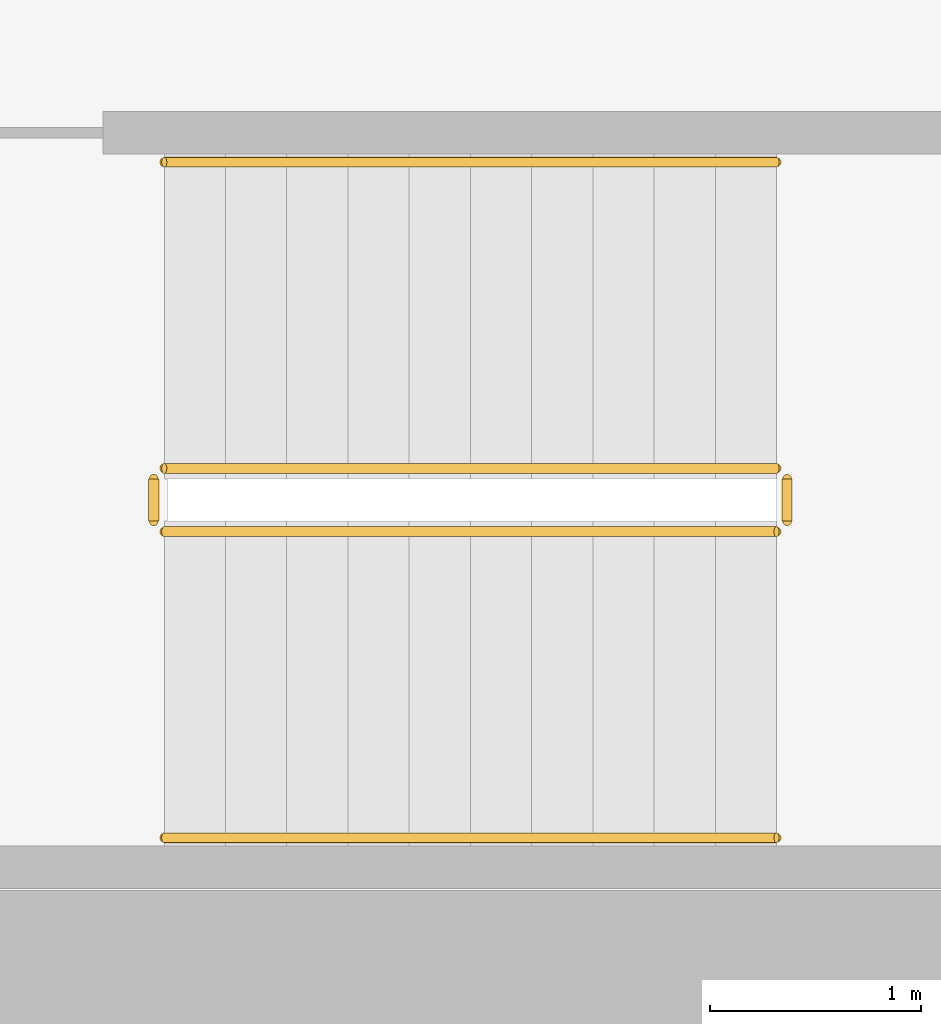
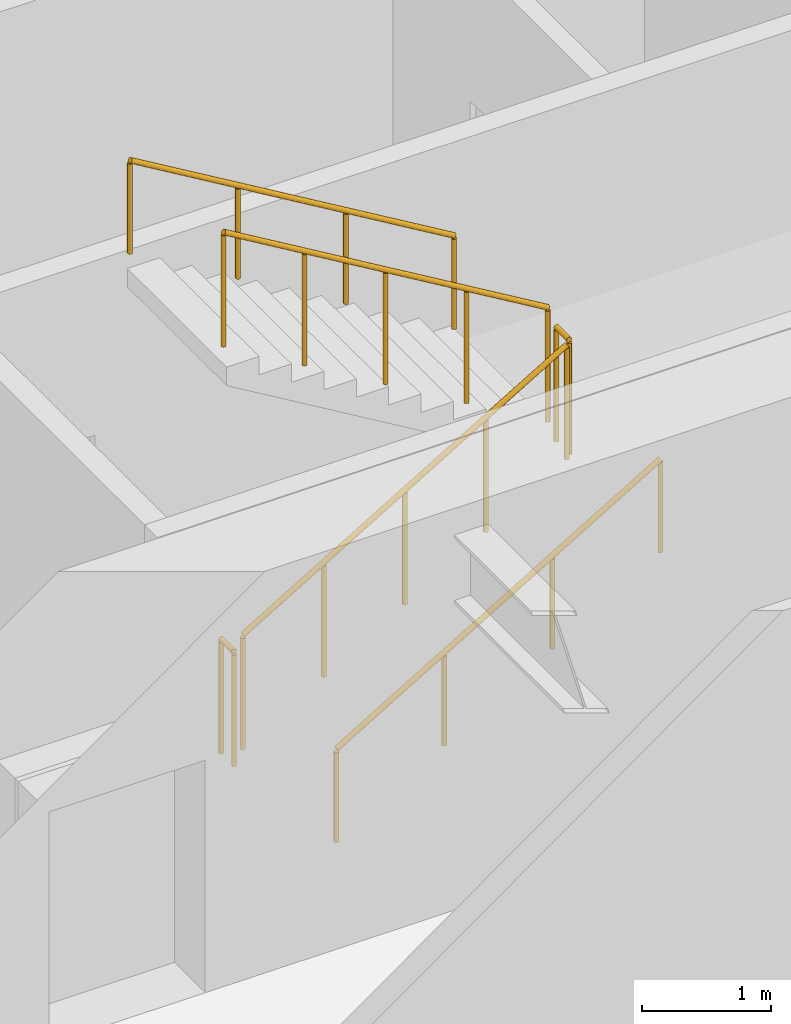
# One storey, part 19 of 20: 6 railings.
"""IFC4 building model written with IfcOpenShell, lengths in metres."""

from ifc_helpers import new_model, si_unit, direction, frame, origin, origin_2d, place, context, subcontext, project, spatial, circle, extrude, material, type_object, element, save


model = new_model("IFC4")

# Units and contexts
model_context = context("Model", 3, precision=1e-05, world=origin(), true_north=direction((0.0, 1.0)))
body_context = subcontext(model_context, "Body", "Model", "MODEL_VIEW")
ifc_project = project(units=[si_unit("LENGTHUNIT", "METRE"), si_unit("AREAUNIT", "SQUARE_METRE"), si_unit("VOLUMEUNIT", "CUBIC_METRE"), si_unit("PLANEANGLEUNIT", "RADIAN"), si_unit("MASSUNIT", "GRAM", prefix="KILO")], contexts=[model_context])

# Site, building, storey
site_placement = place(None, origin())
site = spatial("IfcSite", under=ifc_project, at=site_placement, CompositionType="ELEMENT")
building_placement = place(site_placement, origin())
building = spatial("IfcBuilding", under=site, at=building_placement, Name="Putna Gate Headquarters", CompositionType="ELEMENT")
storey_placement = place(building_placement, frame((0.0, 0.0, 46.800048828125)))
storey = spatial("IfcBuildingStorey", under=building, at=storey_placement, Name="L10", CompositionType="ELEMENT", Elevation=46.800048828125)

# Railings
ifc_material_1 = material(Name="Powder-coated steel stair guardrail", Category="steel")
railing_type_1 = type_object("IfcRailingType", Name="RAIL-STAIR-GUARD-1100", PredefinedType="GUARDRAIL", material=ifc_material_1)
railing_1_placement = place(storey_placement, frame((57.89990234375, 21.10009765625, 0.172607421875)))
element("IfcRailing", 1, at=railing_1_placement, inside=storey, type_object=railing_type_1, Name="L10 ST2 stair guard 1", PredefinedType="GUARDRAIL", context=body_context, shape_type="SweptSolid", body=[
    extrude(circle(Radius=0.02392578125, at=origin_2d()), frame((0.0, 0.0, 1.076171875), z_axis=(0.859160404282, 0.0, 0.51170636083), x_axis=(0.0, 1.0, 0.0)), (0.0, 0.0, 1.0), 3.37548828125),
    extrude(circle(Radius=0.02099609375, at=origin_2d()), origin(), (0.0, 0.0, 1.0), 1.052001953125),
    extrude(circle(Radius=0.02099609375, at=origin_2d()), frame((0.72509765625, 0.0, 0.431884765625)), (0.0, 0.0, 1.0), 1.052001953125),
    extrude(circle(Radius=0.02099609375, at=origin_2d()), frame((1.4501953125, 0.0, 0.86376953125)), (0.0, 0.0, 1.0), 1.052001953125),
    extrude(circle(Radius=0.02099609375, at=origin_2d()), frame((2.175048828125, 0.0, 1.29541015625)), (0.0, 0.0, 1.0), 1.052001953125),
    extrude(circle(Radius=0.02099609375, at=origin_2d()), frame((2.900146484375, 0.0, 1.727294921875)), (0.0, 0.0, 1.0), 1.052001953125),
])
railing_2_placement = place(storey_placement, frame((60.85009765625, 21.14990234375, 1.89990234375)))
element("IfcRailing", 2, at=railing_2_placement, inside=storey, type_object=railing_type_1, Name="L10 ST2 stair guard 2", PredefinedType="GUARDRAIL", context=body_context, shape_type="SweptSolid", body=[
    extrude(circle(Radius=0.02392578125, at=origin_2d()), frame((0.0, 0.0, 1.076171875), z_axis=(0.0, 1.0, 0.0), x_axis=(-1.0, 0.0, 0.0)), (0.0, 0.0, 1.0), 0.2001953125),
    extrude(circle(Radius=0.02099609375, at=origin_2d()), origin(), (0.0, 0.0, 1.0), 1.052001953125),
    extrude(circle(Radius=0.02099609375, at=origin_2d()), frame((0.0, 0.2001953125, 0.0)), (0.0, 0.0, 1.0), 1.052001953125),
])
railing_3_placement = place(storey_placement, frame((60.800048828125, 21.39990234375, 2.07275390625)))
element("IfcRailing", 3, at=railing_3_placement, inside=storey, type_object=railing_type_1, Name="L10 ST2 stair guard 3", PredefinedType="GUARDRAIL", context=body_context, shape_type="SweptSolid", body=[
    extrude(circle(Radius=0.02392578125, at=origin_2d()), frame((0.0, 0.0, 1.076171875), z_axis=(-0.859160404282, 0.0, 0.51170636083), x_axis=(0.0, -1.0, 0.0)), (0.0, 0.0, 1.0), 3.37548828125),
    extrude(circle(Radius=0.02099609375, at=origin_2d()), origin(), (0.0, 0.0, 1.0), 1.052001953125),
    extrude(circle(Radius=0.02099609375, at=origin_2d()), frame((-0.72509765625, 0.0, 0.431884765625)), (0.0, 0.0, 1.0), 1.052001953125),
    extrude(circle(Radius=0.02099609375, at=origin_2d()), frame((-1.4501953125, 0.0, 0.86376953125)), (0.0, 0.0, 1.0), 1.052001953125),
    extrude(circle(Radius=0.02099609375, at=origin_2d()), frame((-2.175048828125, 0.0, 1.29541015625)), (0.0, 0.0, 1.0), 1.052001953125),
    extrude(circle(Radius=0.02099609375, at=origin_2d()), frame((-2.900146484375, 0.0, 1.727294921875)), (0.0, 0.0, 1.0), 1.052001953125),
])
railing_4_placement = place(storey_placement, frame((57.85009765625, 21.14990234375, 0.0)))
element("IfcRailing", 4, at=railing_4_placement, inside=storey, type_object=railing_type_1, Name="L10 ST2 stair guard 4", PredefinedType="GUARDRAIL", context=body_context, shape_type="SweptSolid", body=[
    extrude(circle(Radius=0.02392578125, at=origin_2d()), frame((0.0, 0.0, 1.076171875), z_axis=(0.0, 1.0, 0.0), x_axis=(-1.0, 0.0, 0.0)), (0.0, 0.0, 1.0), 0.2001953125),
    extrude(circle(Radius=0.02099609375, at=origin_2d()), origin(), (0.0, 0.0, 1.0), 1.052001953125),
    extrude(circle(Radius=0.02099609375, at=origin_2d()), frame((0.0, 0.2001953125, 0.0)), (0.0, 0.0, 1.0), 1.052001953125),
])
ifc_material_2 = material(Name="Brushed stainless steel handrail", Category="steel")
railing_type_2 = type_object("IfcRailingType", Name="RAIL-STAIR-HAND-900", PredefinedType="HANDRAIL", material=ifc_material_2)
railing_5_placement = place(storey_placement, frame((57.89990234375, 19.64990234375, 0.172607421875)))
element("IfcRailing", 5, at=railing_5_placement, inside=storey, type_object=railing_type_2, Name="L10 ST2 stair handrail 1", PredefinedType="HANDRAIL", context=body_context, shape_type="SweptSolid", body=[
    extrude(circle(Radius=0.02392578125, at=origin_2d()), frame((0.0, 0.0, 0.8759765625), z_axis=(0.859160404282, 0.0, 0.51170636083), x_axis=(0.0, 1.0, 0.0)), (0.0, 0.0, 1.0), 3.37548828125),
    extrude(circle(Radius=0.02099609375, at=origin_2d()), origin(), (0.0, 0.0, 1.0), 0.851806640625),
    extrude(circle(Radius=0.02099609375, at=origin_2d()), frame((0.966796875, 0.0, 0.57568359375)), (0.0, 0.0, 1.0), 0.851806640625),
    extrude(circle(Radius=0.02099609375, at=origin_2d()), frame((1.933349609375, 0.0, 1.151611328125)), (0.0, 0.0, 1.0), 0.851806640625),
    extrude(circle(Radius=0.02099609375, at=origin_2d()), frame((2.900146484375, 0.0, 1.727294921875)), (0.0, 0.0, 1.0), 0.851806640625),
])
railing_6_placement = place(storey_placement, frame((60.800048828125, 22.85009765625, 2.07275390625)))
element("IfcRailing", 6, at=railing_6_placement, inside=storey, type_object=railing_type_2, Name="L10 ST2 stair handrail 2", PredefinedType="HANDRAIL", context=body_context, shape_type="SweptSolid", body=[
    extrude(circle(Radius=0.02392578125, at=origin_2d()), frame((0.0, 0.0, 0.8759765625), z_axis=(-0.859160404282, 0.0, 0.51170636083), x_axis=(0.0, -1.0, 0.0)), (0.0, 0.0, 1.0), 3.37548828125),
    extrude(circle(Radius=0.02099609375, at=origin_2d()), origin(), (0.0, 0.0, 1.0), 0.851806640625),
    extrude(circle(Radius=0.02099609375, at=origin_2d()), frame((-0.966796875, 0.0, 0.57568359375)), (0.0, 0.0, 1.0), 0.851806640625),
    extrude(circle(Radius=0.02099609375, at=origin_2d()), frame((-1.933349609375, 0.0, 1.151611328125)), (0.0, 0.0, 1.0), 0.851806640625),
    extrude(circle(Radius=0.02099609375, at=origin_2d()), frame((-2.900146484375, 0.0, 1.727294921875)), (0.0, 0.0, 1.0), 0.851806640625),
])

save(model, "model.ifc")
